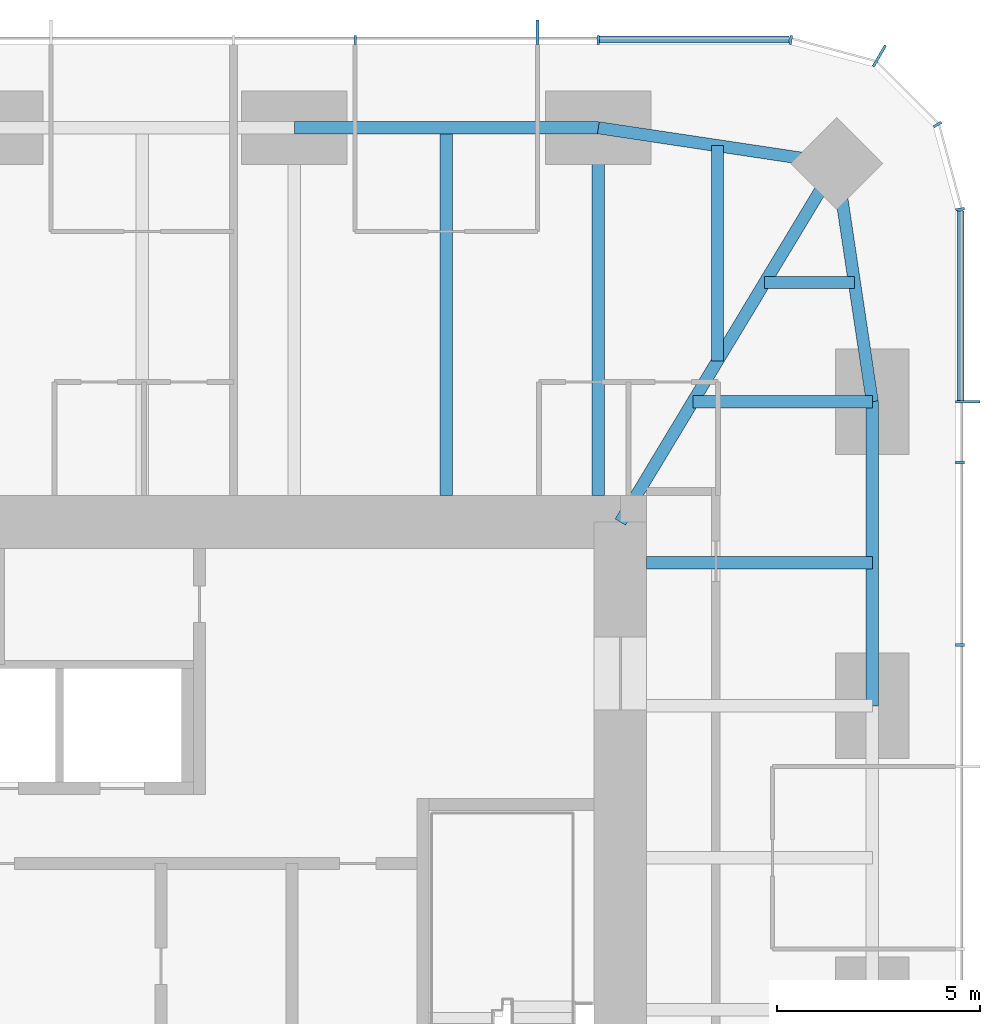
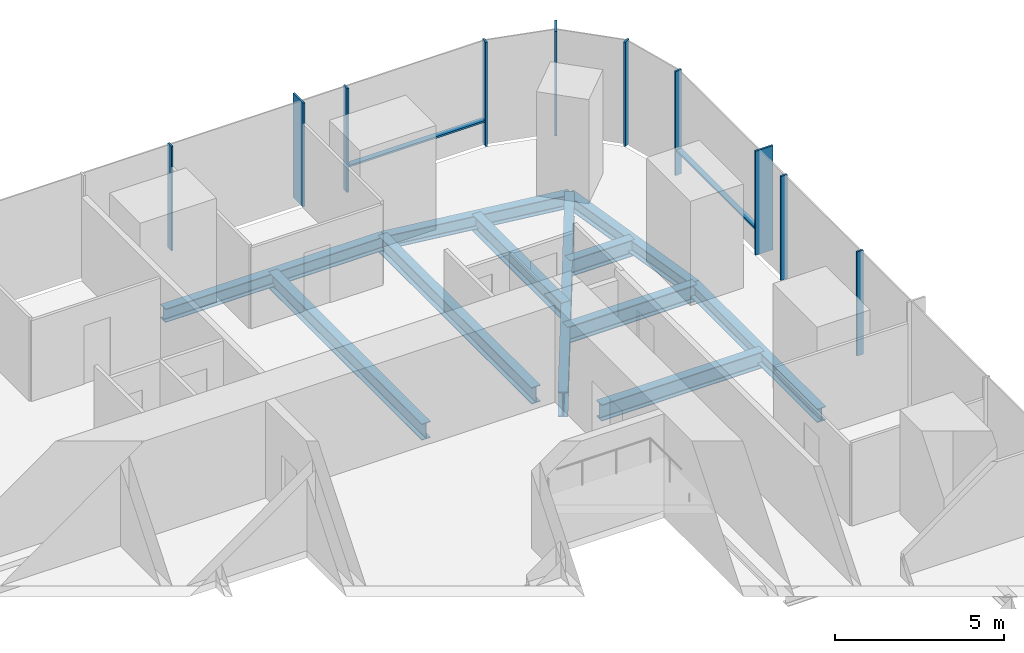
# One storey, part 6 of 12: 12 members, 11 beams, 3 elements without a shape of their own.
"""IFC4 building model written with IfcOpenShell, lengths in metres."""

import ifcopenshell
import ifcopenshell.guid

model = None  # the IFC model being written
_history = None  # IfcOwnerHistory: only IFC2X3 demands one
_inside = {}  # id of a spatial element -> (the spatial element, [elements in it])
_under = {}  # id of a project, library or spatial element -> (it, [spatial elements below it])
_declared = {}  # id of a project -> (the project, [libraries it declares])
_typed = {}  # id of a type object -> (the type object, [elements of that type])
_made_of = {}  # id of a material, layer set ... -> (it, [elements and type objects made of it])


def new_model(schema):
    """Start an empty IFC model of exactly this schema.

    Asked for "IFC4X3", IfcOpenShell would pick the latest addendum, in which some entities
    have other attributes; the version numbers below select the first issue.
    IFC2X3 requires an IfcOwnerHistory on every rooted entity: one is made here for all.
    """
    global model, _history
    if schema == "IFC4X3":
        model = ifcopenshell.file(schema_version=(4, 3, 0, 0))
    else:
        model = ifcopenshell.file(schema=schema)
    _inside.clear()
    _under.clear()
    _declared.clear()
    _typed.clear()
    _made_of.clear()
    _history = None
    if model.schema == "IFC2X3":
        org = make("IfcOrganization", Name="unknown")
        user = make(
            "IfcPersonAndOrganization",
            ThePerson=make("IfcPerson", FamilyName="unknown"),
            TheOrganization=org,
        )
        app = make(
            "IfcApplication",
            ApplicationDeveloper=org,
            Version="unknown",
            ApplicationFullName="unknown",
            ApplicationIdentifier="unknown",
        )
        _history = make(
            "IfcOwnerHistory",
            OwningUser=user,
            OwningApplication=app,
            ChangeAction="ADDED",
            CreationDate=0,
        )
    return model


def make(cls, **values):
    """One entity of the class cls with the attributes given. An attribute that is None is left unset."""
    return model.create_entity(
        cls, **{name: value for name, value in values.items() if value is not None}
    )


def rooted(cls, **values):
    """An entity with a GlobalId (a new one), such as an element, a storey or a relation."""
    return make(cls, GlobalId=ifcopenshell.guid.new(), OwnerHistory=_history, **values)


def si_unit(unit_type, name, prefix=None):
    """IfcSIUnit, for example si_unit("LENGTHUNIT", "METRE", prefix="MILLI")."""
    return make("IfcSIUnit", UnitType=unit_type, Prefix=prefix, Name=name)


def assignment(units):
    """IfcUnitAssignment: the units of a project."""
    return None if units is None else make("IfcUnitAssignment", Units=units)


def point(xyz):
    """IfcCartesianPoint."""
    return None if xyz is None else make("IfcCartesianPoint", Coordinates=xyz)


def direction(xyz):
    """IfcDirection."""
    return None if xyz is None else make("IfcDirection", DirectionRatios=xyz)


def frame(location, z_axis=None, x_axis=None):
    """IfcAxis2Placement3D, a coordinate frame: its origin and axes. An axis left out is left unset."""
    return make(
        "IfcAxis2Placement3D",
        Location=point(location),
        Axis=direction(z_axis),
        RefDirection=direction(x_axis),
    )


def frame_2d(location, x_axis=None):
    """IfcAxis2Placement2D, a coordinate frame in the plane: its origin and x axis."""
    return make(
        "IfcAxis2Placement2D", Location=point(location), RefDirection=direction(x_axis)
    )


def origin():
    """The frame at (0, 0, 0) with its axes left unset."""
    return frame((0.0, 0.0, 0.0))


def origin_2d():
    """The frame at (0, 0) in the plane with its x axis left unset."""
    return frame_2d((0.0, 0.0))


def place(relative_to, where):
    """IfcLocalPlacement: puts the frame where relative to a parent placement (None: the world)."""
    return make(
        "IfcLocalPlacement", PlacementRelTo=relative_to, RelativePlacement=where
    )


def context(
    kind, dimensions, precision=None, world=None, true_north=None, identifier=None
):
    """IfcGeometricRepresentationContext, for example the 3D "Model" context."""
    return make(
        "IfcGeometricRepresentationContext",
        ContextIdentifier=identifier,
        ContextType=kind,
        CoordinateSpaceDimension=dimensions,
        Precision=precision,
        WorldCoordinateSystem=world,
        TrueNorth=true_north,
    )


def subcontext(parent, identifier, kind, view, scale=None):
    """IfcGeometricRepresentationSubContext, for example "Body" below "Model"."""
    return make(
        "IfcGeometricRepresentationSubContext",
        ContextIdentifier=identifier,
        ContextType=kind,
        ParentContext=parent,
        TargetScale=scale,
        TargetView=view,
    )


def project(units=None, contexts=None):
    """IfcProject with its units and contexts."""
    return rooted(
        "IfcProject",
        Name="project",
        RepresentationContexts=contexts,
        UnitsInContext=assignment(units),
    )


def spatial(cls, under=None, at=None, **own):
    """A site, building, storey or space (cls), placed at a placement, below another one or the project."""
    s = rooted(cls, ObjectPlacement=at, **own)
    if under is not None:
        _under.setdefault(under.id(), (under, []))[1].append(s)
    return s


def profile(cls, at=None, kind="AREA", **sizes):
    """A parametric profile (cls). Its sizes go by their IFC names, for example OverallWidth=200.0."""
    return make(cls, ProfileType=kind, Position=at, **sizes)


def rectangle(**sizes):
    """IfcRectangleProfileDef."""
    return profile("IfcRectangleProfileDef", **sizes)


def i_section(**sizes):
    """IfcIShapeProfileDef."""
    return profile("IfcIShapeProfileDef", **sizes)


def extrude(swept, where, along, depth):
    """IfcExtrudedAreaSolid: the profile swept, set in the frame where, extruded along a direction by depth."""
    return make(
        "IfcExtrudedAreaSolid",
        SweptArea=swept,
        Position=where,
        ExtrudedDirection=direction(along),
        Depth=depth,
    )


def shape(context_of_items, identifier, shape_type, items):
    """IfcShapeRepresentation: the items that make up one representation, for example the "Body"."""
    return make(
        "IfcShapeRepresentation",
        ContextOfItems=context_of_items,
        RepresentationIdentifier=identifier,
        RepresentationType=shape_type,
        Items=items,
    )


def material(Name=None, Category=None):
    """IfcMaterial."""
    return make("IfcMaterial", Name=Name, Category=Category)


def material_profile(
    of_material, cross_section, Name=None, Category=None, Priority=None
):
    """IfcMaterialProfile: a cross section and its material."""
    return make(
        "IfcMaterialProfile",
        Name=Name,
        Material=of_material,
        Profile=cross_section,
        Priority=Priority,
        Category=Category,
    )


def profile_set(profiles, Name=None, composite=None):
    """IfcMaterialProfileSet."""
    return make(
        "IfcMaterialProfileSet",
        Name=Name,
        MaterialProfiles=profiles,
        CompositeProfile=composite,
    )


def made_of(thing, what):
    """Note that an element or type object is made of a material, layer set ...; save() writes the relation."""
    if what is not None:
        _made_of.setdefault(what.id(), (what, []))[1].append(thing)
    return thing


def type_object(cls, material=None, **own):
    """A type object (cls), such as IfcWallType, which elements share."""
    return made_of(rooted(cls, **own), material)


def element(
    cls,
    number,
    at=None,
    inside=None,
    cuts=None,
    type_object=None,
    material=None,
    context=None,
    identifier="Body",
    shape_type=None,
    held_by="IfcProductDefinitionShape",
    body=None,
    shapes=None,
    **own,
):
    """One element of the class cls, such as IfcWall. Its Tag is "e" and its number.

    at: its placement. inside: the storey or other place that contains it. cuts: it is an
    opening in that element (IfcRelVoidsElement). A single representation is given by context,
    identifier, shape_type and body (its items); several are given by shapes. held_by: the class
    of the entity that holds the representations. save() writes the other relations.
    """
    e = rooted(cls, Tag="e%d" % number, ObjectPlacement=at, **own)
    if body is not None:
        shapes = [shape(context, identifier, shape_type, body)]
    if shapes is not None:
        e.Representation = make(held_by, Representations=shapes)
    if inside is not None:
        _inside.setdefault(inside.id(), (inside, []))[1].append(e)
    if cuts is not None:
        rooted(
            "IfcRelVoidsElement", RelatingBuildingElement=cuts, RelatedOpeningElement=e
        )
    if type_object is not None:
        _typed.setdefault(type_object.id(), (type_object, []))[1].append(e)
    return made_of(e, material)


def aggregate(whole, parts):
    """IfcRelAggregates: a whole, such as a stair, and the parts it consists of."""
    return rooted("IfcRelAggregates", RelatingObject=whole, RelatedObjects=parts)


def save(model, path):
    """Write the relations noted so far, then the file.

    IfcRelAggregates (storeys below a building ...), IfcRelContainedInSpatialStructure (elements
    in a storey), IfcRelDefinesByType, IfcRelAssociatesMaterial and IfcRelDeclares: one each for
    every whole, place, type object, material and project.
    """
    for whole, parts in _under.values():
        aggregate(whole, parts)
    for where, things in _inside.values():
        rooted(
            "IfcRelContainedInSpatialStructure",
            RelatedElements=things,
            RelatingStructure=where,
        )
    for kind, things in _typed.values():
        rooted("IfcRelDefinesByType", RelatedObjects=things, RelatingType=kind)
    for what, things in _made_of.values():
        rooted("IfcRelAssociatesMaterial", RelatedObjects=things, RelatingMaterial=what)
    for by, libraries in _declared.values():
        rooted("IfcRelDeclares", RelatingContext=by, RelatedDefinitions=libraries)
    model.write(path)


model = new_model("IFC4")

# Units and contexts
model_context = context("Model", 3, precision=1e-05, world=origin(), true_north=direction((0.0, 1.0)))
body_context = subcontext(model_context, "Body", "Model", "MODEL_VIEW")
ifc_project = project(units=[si_unit("LENGTHUNIT", "METRE"), si_unit("AREAUNIT", "SQUARE_METRE"), si_unit("VOLUMEUNIT", "CUBIC_METRE"), si_unit("PLANEANGLEUNIT", "RADIAN"), si_unit("MASSUNIT", "GRAM", prefix="KILO")], contexts=[model_context])

# Site, building, storey
site_placement = place(None, origin())
site = spatial("IfcSite", under=ifc_project, at=site_placement, CompositionType="ELEMENT")
building_placement = place(site_placement, origin())
building = spatial("IfcBuilding", under=site, at=building_placement, Name="Khuree Lantern Residences", CompositionType="ELEMENT")
storey_placement = place(building_placement, frame((0.0, 0.0, 297.0)))
storey = spatial("IfcBuildingStorey", under=building, at=storey_placement, Name="L74", CompositionType="ELEMENT", Elevation=297.0)

# Beams
ifc_material_1 = material(Name="Steel S355", Category="steel")
ifc_material_profile_1 = material_profile(ifc_material_1, i_section(OverallWidth=0.300048828125, OverallDepth=0.590087890625, WebThickness=0.012939453125, FlangeThickness=0.02490234375, FilletRadius=0.027099609375, at=origin_2d()), Name="HE 600 A")
ifc_profile_set_1 = profile_set([ifc_material_profile_1], Name="Steel S355")
beam_type_1 = type_object("IfcBeamType", Name="B-41A SECONDARY BEAM HE 600 A", PredefinedType="BEAM", material=ifc_profile_set_1)
beam_1_placement = place(storey_placement, frame((11.219970703125, 21.699951171875, -0.544921875), z_axis=(0.0, -1.0, 0.0), x_axis=(1.0, 0.0, 0.0)))
element("IfcBeam", 1, at=beam_1_placement, inside=storey, type_object=beam_type_1, Name="Secondary beam N4", PredefinedType="BEAM", context=body_context, shape_type="SweptSolid", body=[
    extrude(i_section(OverallWidth=0.300048828125, OverallDepth=0.590087890625, WebThickness=0.012939453125, FlangeThickness=0.02490234375, FilletRadius=0.027099609375, at=origin_2d()), origin(), (0.0, 0.0, 1.0), 9.050048828125),
])
beam_2_placement = place(storey_placement, frame((17.890625, 21.2607421875, -0.544921875), z_axis=(0.0, -1.0, 0.0), x_axis=(1.0, 0.0, 0.0)))
element("IfcBeam", 2, at=beam_2_placement, inside=storey, type_object=beam_type_1, Name="Secondary beam N5", PredefinedType="BEAM", context=body_context, shape_type="SweptSolid", body=[
    extrude(i_section(OverallWidth=0.300048828125, OverallDepth=0.590087890625, WebThickness=0.012939453125, FlangeThickness=0.02490234375, FilletRadius=0.027099609375, at=origin_2d()), origin(), (0.0, 0.0, 1.0), 5.297607421875),
])
beam_3_placement = place(storey_placement, frame((21.2607421875, 17.890625, -0.544921875), z_axis=(-1.0, 0.0, 0.0), x_axis=(0.0, -1.0, 0.0)))
element("IfcBeam", 3, at=beam_3_placement, inside=storey, type_object=beam_type_1, Name="Secondary beam E1", PredefinedType="BEAM", context=body_context, shape_type="SweptSolid", body=[
    extrude(i_section(OverallWidth=0.300048828125, OverallDepth=0.590087890625, WebThickness=0.012939453125, FlangeThickness=0.02490234375, FilletRadius=0.027099609375, at=origin_2d()), origin(), (0.0, 0.0, 1.0), 2.207275390625),
])
beam_4_placement = place(storey_placement, frame((21.699951171875, 11.0, -0.544921875), z_axis=(-1.0, 0.0, 0.0), x_axis=(0.0, -1.0, 0.0)))
element("IfcBeam", 4, at=beam_4_placement, inside=storey, type_object=beam_type_1, Name="Secondary beam E2", PredefinedType="BEAM", context=body_context, shape_type="SweptSolid", body=[
    extrude(i_section(OverallWidth=0.300048828125, OverallDepth=0.590087890625, WebThickness=0.012939453125, FlangeThickness=0.02490234375, FilletRadius=0.027099609375, at=origin_2d()), origin(), (0.0, 0.0, 1.0), 5.550048828125),
])
ifc_material_profile_2 = material_profile(ifc_material_1, i_section(OverallWidth=0.300048828125, OverallDepth=0.489990234375, WebThickness=0.011962890625, FlangeThickness=0.02294921875, FilletRadius=0.027099609375, at=origin_2d()), Name="HE 500 A")
ifc_profile_set_2 = profile_set([ifc_material_profile_2], Name="Steel S355")
beam_type_2 = type_object("IfcBeamType", Name="E-41 SPANDREL BEAM HE 500 A", PredefinedType="SPANDREL", material=ifc_profile_set_2)
beam_5_placement = place(storey_placement, frame((7.47998046875, 21.699951171875, -0.4951171875), z_axis=(1.0, 0.0, 0.0), x_axis=(0.0, 1.0, 0.0)))
element("IfcBeam", 5, at=beam_5_placement, inside=storey, type_object=beam_type_2, Name="Spandrel beam N4", PredefinedType="SPANDREL", context=body_context, shape_type="SweptSolid", body=[
    extrude(i_section(OverallWidth=0.300048828125, OverallDepth=0.489990234375, WebThickness=0.011962890625, FlangeThickness=0.02294921875, FilletRadius=0.027099609375, at=origin_2d()), origin(), (0.0, 0.0, 1.0), 7.47998046875),
])
for number, where, z_axis, x_axis, name in (
    (6, (14.9599609375, 21.699951171875, -0.4951171875), (0.988949643299, -0.148251822985, 0.0), (0.148251822985, 0.988949643299, 0.0), "Spandrel beam N5"),
    (7, (20.8212890625, 20.8212890625, -0.4951171875), (0.148251822985, -0.988949643299, 0.0), (0.988949643299, 0.148251822985, 0.0), "Spandrel beam E1"),
):
    element("IfcBeam", number, at=place(storey_placement, frame(where, z_axis=z_axis, x_axis=x_axis)), inside=storey, type_object=beam_type_2, Name=name, PredefinedType="SPANDREL", context=body_context, shape_type="SweptSolid", body=[
        extrude(i_section(OverallWidth=0.300048828125, OverallDepth=0.489990234375, WebThickness=0.011962890625, FlangeThickness=0.02294921875, FilletRadius=0.027099609375, at=origin_2d()), origin(), (0.0, 0.0, 1.0), 5.9267578125),
    ])
beam_6_placement = place(storey_placement, frame((21.699951171875, 14.9599609375, -0.4951171875), z_axis=(0.0, -1.0, 0.0), x_axis=(1.0, 0.0, 0.0)))
element("IfcBeam", 8, at=beam_6_placement, inside=storey, type_object=beam_type_2, Name="Spandrel beam E2", PredefinedType="SPANDREL", context=body_context, shape_type="SweptSolid", body=[
    extrude(i_section(OverallWidth=0.300048828125, OverallDepth=0.489990234375, WebThickness=0.011962890625, FlangeThickness=0.02294921875, FilletRadius=0.027099609375, at=origin_2d()), origin(), (0.0, 0.0, 1.0), 7.47998046875),
])

# Curtain wall, member
ifc_material_2 = material(Name="Bronze anodised aluminium", Category="aluminium")
curtain_wall_type_1 = type_object("IfcCurtainWallType", Name="CW-T1 TOWER FACE CURTAIN WALL", PredefinedType="USERDEFINED", material=ifc_material_2)
curtain_wall_1_placement = place(storey_placement, origin())
curtain_wall_1 = element("IfcCurtainWall", 9, at=curtain_wall_1_placement, inside=storey, type_object=curtain_wall_type_1, Name="L74 EAST FACE CURTAIN WALL", ObjectType="Stick-built curtain wall", PredefinedType="USERDEFINED")
ifc_material_profile_3 = material_profile(ifc_material_2, rectangle(XDim=0.06494140625, YDim=0.60009765625, at=origin_2d()), Name="F1 65X600")
ifc_profile_set_3 = profile_set([ifc_material_profile_3], Name="Bronze anodised aluminium")
member_type_1 = type_object("IfcMemberType", Name="F1 BRONZE FIN MULLION TOWER 65X600", PredefinedType="MULLION", material=ifc_profile_set_3)
member_1_placement = place(storey_placement, frame((24.050048828125, 14.9599609375, 0.0), z_axis=(0.0, 0.0, 1.0), x_axis=(0.0, 1.0, 0.0)))
member_1 = element("IfcMember", 10, at=member_1_placement, type_object=member_type_1, Name="L74 EAST FACE FIN MULLION 14", PredefinedType="MULLION", context=body_context, shape_type="SweptSolid", body=[
    extrude(rectangle(XDim=0.06494140625, YDim=0.60009765625, at=origin_2d()), origin(), (0.0, 0.0, 1.0), 3.75),
])

curtain_wall_type_2 = type_object("IfcCurtainWallType", Name="CW-T2 TOWER CORNER CURTAIN WALL", PredefinedType="USERDEFINED", material=ifc_material_2)
curtain_wall_2_placement = place(storey_placement, origin())
curtain_wall_2 = element("IfcCurtainWall", 11, at=curtain_wall_2_placement, inside=storey, type_object=curtain_wall_type_2, Name="L74 NORTH-EAST CORNER CURTAIN WALL", ObjectType="Faceted corner curtain wall", PredefinedType="USERDEFINED")
member_2_placement = place(storey_placement, frame((21.875, 23.46728515625, 0.0), z_axis=(0.0, 0.0, 1.0), x_axis=(-0.866025437565, 0.49999994149, 0.0)))
member_2 = element("IfcMember", 12, at=member_2_placement, type_object=member_type_1, Name="L74 NORTH-EAST CORNER FIN MULLION 17", PredefinedType="MULLION", context=body_context, shape_type="SweptSolid", body=[
    extrude(rectangle(XDim=0.06494140625, YDim=0.60009765625, at=origin_2d()), origin(), (0.0, 0.0, 1.0), 3.75),
])

curtain_wall_3_placement = place(storey_placement, origin())
curtain_wall_3 = element("IfcCurtainWall", 13, at=curtain_wall_3_placement, inside=storey, type_object=curtain_wall_type_1, Name="L74 NORTH FACE CURTAIN WALL", ObjectType="Stick-built curtain wall", PredefinedType="USERDEFINED")
member_3_placement = place(storey_placement, frame((13.464111328125, 24.050048828125, 0.0), z_axis=(0.0, 0.0, 1.0), x_axis=(-1.0, 0.0, 0.0)))
member_3 = element("IfcMember", 14, at=member_3_placement, type_object=member_type_1, Name="L74 NORTH FACE FIN MULLION 20", PredefinedType="MULLION", context=body_context, shape_type="SweptSolid", body=[
    extrude(rectangle(XDim=0.06494140625, YDim=0.60009765625, at=origin_2d()), origin(), (0.0, 0.0, 1.0), 3.75),
])

# Beams
ifc_material_profile_4 = material_profile(ifc_material_1, i_section(OverallWidth=0.300048828125, OverallDepth=0.60009765625, WebThickness=0.015380859375, FlangeThickness=0.030029296875, FilletRadius=0.027099609375, at=origin_2d()), Name="HE 600 B")
ifc_profile_set_4 = profile_set([ifc_material_profile_4], Name="Steel S355")
beam_type_3 = type_object("IfcBeamType", Name="G-41 GIRDER HE 600 B", PredefinedType="BEAM", material=ifc_profile_set_4)
beam_7_placement = place(storey_placement, frame((14.9599609375, 21.699951171875, -0.550048828125), z_axis=(0.0, -1.0, 0.0), x_axis=(1.0, 0.0, 0.0)))
element("IfcBeam", 15, at=beam_7_placement, inside=storey, type_object=beam_type_3, Name="Girder N5", PredefinedType="BEAM", context=body_context, shape_type="SweptSolid", body=[
    extrude(i_section(OverallWidth=0.300048828125, OverallDepth=0.60009765625, WebThickness=0.015380859375, FlangeThickness=0.030029296875, FilletRadius=0.027099609375, at=origin_2d()), origin(), (0.0, 0.0, 1.0), 9.050048828125),
])
beam_8_placement = place(storey_placement, frame((21.699951171875, 14.9599609375, -0.550048828125), z_axis=(-1.0, 0.0, 0.0), x_axis=(0.0, -1.0, 0.0)))
element("IfcBeam", 16, at=beam_8_placement, inside=storey, type_object=beam_type_3, Name="Girder E1", PredefinedType="BEAM", context=body_context, shape_type="SweptSolid", body=[
    extrude(i_section(OverallWidth=0.300048828125, OverallDepth=0.60009765625, WebThickness=0.015380859375, FlangeThickness=0.030029296875, FilletRadius=0.027099609375, at=origin_2d()), origin(), (0.0, 0.0, 1.0), 4.414306640625),
])
ifc_material_profile_5 = material_profile(ifc_material_1, i_section(OverallWidth=0.300048828125, OverallDepth=0.89990234375, WebThickness=0.0185546875, FlangeThickness=0.034912109375, FilletRadius=0.030029296875, at=origin_2d()), Name="HE 900 B")
ifc_profile_set_5 = profile_set([ifc_material_profile_5], Name="Steel S355")
beam_type_4 = type_object("IfcBeamType", Name="GD-41 CORNER GIRDER HE 900 B", PredefinedType="BEAM", material=ifc_profile_set_5)
beam_9_placement = place(storey_placement, frame((20.8212890625, 20.8212890625, -0.699951171875), z_axis=(-0.516529577604, -0.856269347495, 0.0), x_axis=(0.856269347495, -0.516529577604, 0.0)))
element("IfcBeam", 17, at=beam_9_placement, inside=storey, type_object=beam_type_4, Name="Corner girder NE", PredefinedType="BEAM", context=body_context, shape_type="SweptSolid", body=[
    extrude(i_section(OverallWidth=0.300048828125, OverallDepth=0.89990234375, WebThickness=0.0185546875, FlangeThickness=0.034912109375, FilletRadius=0.030029296875, at=origin_2d()), origin(), (0.0, 0.0, 1.0), 10.302001953125),
])

# Member
ifc_material_profile_6 = material_profile(ifc_material_2, rectangle(XDim=0.06494140625, YDim=0.219970703125, at=origin_2d()), Name="M1 65X220")
ifc_profile_set_6 = profile_set([ifc_material_profile_6], Name="Bronze anodised aluminium")
member_type_2 = type_object("IfcMemberType", Name="M1 BRONZE MULLION TOWER 65X220", PredefinedType="MULLION", material=ifc_profile_set_6)
member_4_placement = place(storey_placement, frame((23.860107421875, 8.97607421875, 0.0), z_axis=(0.0, 0.0, 1.0), x_axis=(0.0, 1.0, 0.0)))
member_4 = element("IfcMember", 18, at=member_4_placement, type_object=member_type_2, Name="L74 EAST FACE MULLION 12", PredefinedType="MULLION", context=body_context, shape_type="SweptSolid", body=[
    extrude(rectangle(XDim=0.06494140625, YDim=0.219970703125, at=origin_2d()), origin(), (0.0, 0.0, 1.0), 3.75),
])

member_5_placement = place(storey_placement, frame((23.860107421875, 13.464111328125, 0.0), z_axis=(0.0, 0.0, 1.0), x_axis=(0.0, 1.0, 0.0)))
member_5 = element("IfcMember", 19, at=member_5_placement, type_object=member_type_2, Name="L74 EAST FACE MULLION 13", PredefinedType="MULLION", context=body_context, shape_type="SweptSolid", body=[
    extrude(rectangle(XDim=0.06494140625, YDim=0.219970703125, at=origin_2d()), origin(), (0.0, 0.0, 1.0), 3.75),
])

member_6_placement = place(storey_placement, frame((23.86181640625, 19.695068359375, 0.0), z_axis=(0.0, 0.0, 1.0), x_axis=(-0.130526125236, 0.991444870192, 0.0)))
member_6 = element("IfcMember", 20, at=member_6_placement, type_object=member_type_2, Name="L74 NORTH-EAST CORNER MULLION 15", PredefinedType="MULLION", context=body_context, shape_type="SweptSolid", body=[
    extrude(rectangle(XDim=0.06494140625, YDim=0.219970703125, at=origin_2d()), origin(), (0.0, 0.0, 1.0), 3.75),
])

member_7_placement = place(storey_placement, frame((23.302734375, 21.780029296875, 0.0), z_axis=(0.0, 0.0, 1.0), x_axis=(-0.49999994149, 0.866025437565, 0.0)))
member_7 = element("IfcMember", 21, at=member_7_placement, type_object=member_type_2, Name="L74 NORTH-EAST CORNER MULLION 16", PredefinedType="MULLION", context=body_context, shape_type="SweptSolid", body=[
    extrude(rectangle(XDim=0.06494140625, YDim=0.219970703125, at=origin_2d()), origin(), (0.0, 0.0, 1.0), 3.75),
])

aggregate(curtain_wall_2, [member_6, member_7, member_2])

member_8_placement = place(storey_placement, frame((19.695068359375, 23.86181640625, 0.0), z_axis=(0.0, 0.0, 1.0), x_axis=(-0.991444870192, 0.130526125236, 0.0)))
member_8 = element("IfcMember", 22, at=member_8_placement, type_object=member_type_2, Name="L74 NORTH FACE MULLION 18", PredefinedType="MULLION", context=body_context, shape_type="SweptSolid", body=[
    extrude(rectangle(XDim=0.06494140625, YDim=0.219970703125, at=origin_2d()), origin(), (0.0, 0.0, 1.0), 3.75),
])

member_9_placement = place(storey_placement, frame((14.9599609375, 23.860107421875, 0.0), z_axis=(0.0, 0.0, 1.0), x_axis=(-1.0, 0.0, 0.0)))
member_9 = element("IfcMember", 23, at=member_9_placement, type_object=member_type_2, Name="L74 NORTH FACE MULLION 19", PredefinedType="MULLION", context=body_context, shape_type="SweptSolid", body=[
    extrude(rectangle(XDim=0.06494140625, YDim=0.219970703125, at=origin_2d()), origin(), (0.0, 0.0, 1.0), 3.75),
])

member_10_placement = place(storey_placement, frame((8.97607421875, 23.860107421875, 0.0), z_axis=(0.0, 0.0, 1.0), x_axis=(-1.0, 0.0, 0.0)))
member_10 = element("IfcMember", 24, at=member_10_placement, type_object=member_type_2, Name="L74 NORTH FACE MULLION 21", PredefinedType="MULLION", context=body_context, shape_type="SweptSolid", body=[
    extrude(rectangle(XDim=0.06494140625, YDim=0.219970703125, at=origin_2d()), origin(), (0.0, 0.0, 1.0), 3.75),
])

ifc_material_profile_7 = material_profile(ifc_material_2, rectangle(XDim=0.179931640625, YDim=0.06494140625, at=origin_2d()), Name="T1 180X65")
ifc_profile_set_7 = profile_set([ifc_material_profile_7], Name="Bronze anodised aluminium")
member_type_3 = type_object("IfcMemberType", Name="TRANSOM T1 TOWER 180X65", PredefinedType="USERDEFINED", material=ifc_profile_set_7)
member_11_placement = place(storey_placement, frame((23.8701171875, 14.992431640625, 0.89990234375), z_axis=(0.0, 1.0, 0.0), x_axis=(-1.0, 0.0, 0.0)))
member_11 = element("IfcMember", 25, at=member_11_placement, type_object=member_type_3, Name="L74 EAST FACE TRANSOM 14.1", ObjectType="Transom", PredefinedType="USERDEFINED", context=body_context, shape_type="SweptSolid", body=[
    extrude(rectangle(XDim=0.179931640625, YDim=0.06494140625, at=origin_2d()), origin(), (0.0, 0.0, 1.0), 4.658935546875),
])

aggregate(curtain_wall_1, [member_4, member_5, member_1, member_11])

member_12_placement = place(storey_placement, frame((19.6513671875, 23.8701171875, 0.89990234375), z_axis=(-1.0, 0.0, 0.0), x_axis=(0.0, -1.0, 0.0)))
member_12 = element("IfcMember", 26, at=member_12_placement, type_object=member_type_3, Name="L74 NORTH FACE TRANSOM 18.1", ObjectType="Transom", PredefinedType="USERDEFINED", context=body_context, shape_type="SweptSolid", body=[
    extrude(rectangle(XDim=0.179931640625, YDim=0.06494140625, at=origin_2d()), origin(), (0.0, 0.0, 1.0), 4.658935546875),
])

aggregate(curtain_wall_3, [member_8, member_9, member_3, member_10, member_12])

save(model, "model.ifc")
